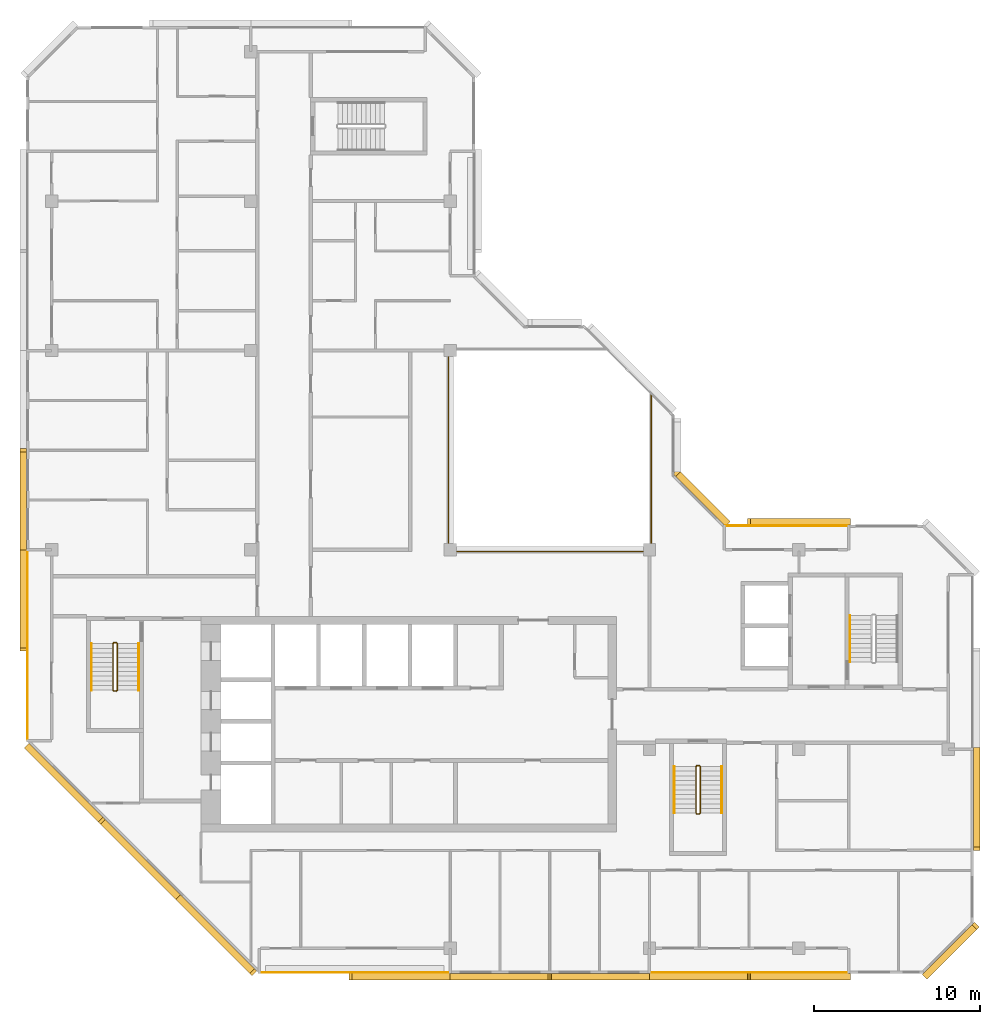
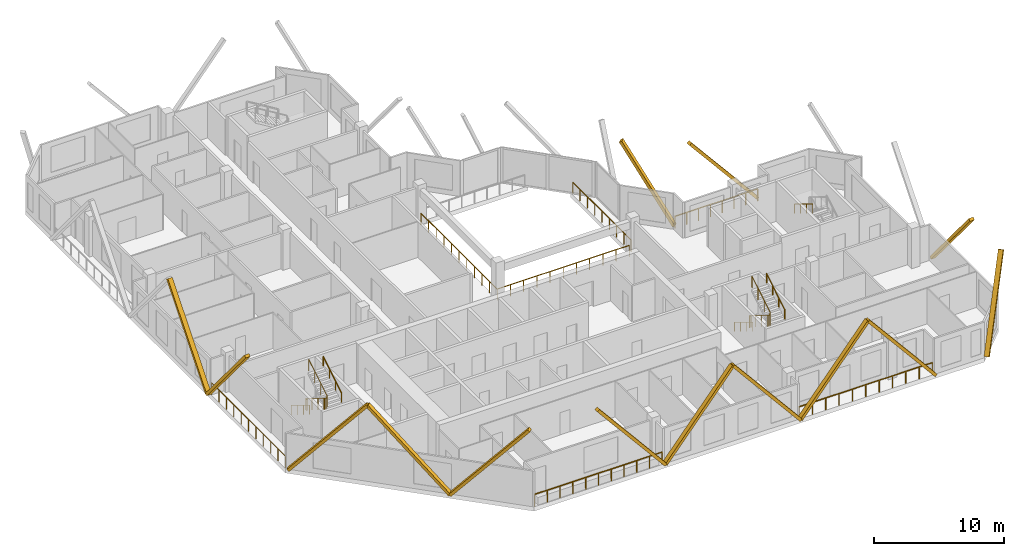
# One storey, part 11 of 12: 14 coverings, 13 railings.
"""IFC4 building model written with IfcOpenShell, lengths in metres."""

from ifc_helpers import new_model, si_unit, direction, frame, origin, origin_2d, place, context, subcontext, project, spatial, rectangle, extrude, material, material_profile, profile_set, type_object, element, save


model = new_model("IFC4")

# Units and contexts
model_context = context("Model", 3, precision=1e-05, world=origin(), true_north=direction((0.0, 1.0)))
body_context = subcontext(model_context, "Body", "Model", "MODEL_VIEW")
ifc_project = project(units=[si_unit("LENGTHUNIT", "METRE"), si_unit("AREAUNIT", "SQUARE_METRE"), si_unit("VOLUMEUNIT", "CUBIC_METRE"), si_unit("PLANEANGLEUNIT", "RADIAN"), si_unit("MASSUNIT", "GRAM", prefix="KILO")], contexts=[model_context])

# Site, building, storey
site_placement = place(None, origin())
site = spatial("IfcSite", under=ifc_project, at=site_placement, CompositionType="ELEMENT")
building_placement = place(site_placement, origin())
building = spatial("IfcBuilding", under=site, at=building_placement, Name="Chenar Terraces", CompositionType="ELEMENT")
storey_placement = place(building_placement, frame((0.0, 0.0, 361.39990234375)))
storey = spatial("IfcBuildingStorey", under=building, at=storey_placement, Name="L84", CompositionType="ELEMENT", Elevation=361.39990234375)

# Railings
ifc_material_1 = material(Name="Powder-coated steel", Category="steel")
railing_type_1 = type_object("IfcRailingType", Name="Guard 1100 steel rail with glass infill", PredefinedType="GUARDRAIL", material=ifc_material_1)
railing_1_placement = place(storey_placement, frame((23.89990234375, 35.625, 0.0)))
element("IfcRailing", 1, at=railing_1_placement, inside=storey, type_object=railing_type_1, Name="Guard L84-1", PredefinedType="GUARDRAIL", context=body_context, shape_type="SweptSolid", body=[
    extrude(rectangle(XDim=0.06005859375, YDim=0.06005859375, at=origin_2d()), frame((0.0, 0.0, 1.070068359375), z_axis=(0.0, -1.0, 0.0), x_axis=(1.0, 0.0, 0.0)), (0.0, 0.0, 1.0), 11.72509765625),
    extrude(rectangle(XDim=0.06005859375, YDim=0.06005859375, at=origin_2d()), frame((0.0, -11.72509765625, 1.070068359375), z_axis=(1.0, 0.0, 0.0), x_axis=(0.0, 1.0, 0.0)), (0.0, 0.0, 1.0), 11.72509765625),
    extrude(rectangle(XDim=0.050048828125, YDim=0.050048828125, at=origin_2d()), origin(), (0.0, 0.0, 1.0), 1.0400390625),
    extrude(rectangle(XDim=0.050048828125, YDim=0.050048828125, at=origin_2d()), frame((0.0, -1.172607421875, 0.0)), (0.0, 0.0, 1.0), 1.0400390625),
    extrude(rectangle(XDim=0.050048828125, YDim=0.050048828125, at=origin_2d()), frame((0.0, -2.344970703125, 0.0)), (0.0, 0.0, 1.0), 1.0400390625),
    extrude(rectangle(XDim=0.050048828125, YDim=0.050048828125, at=origin_2d()), frame((0.0, -3.517578125, 0.0)), (0.0, 0.0, 1.0), 1.0400390625),
    extrude(rectangle(XDim=0.050048828125, YDim=0.050048828125, at=origin_2d()), frame((0.0, -4.68994140625, 0.0)), (0.0, 0.0, 1.0), 1.0400390625),
    extrude(rectangle(XDim=0.050048828125, YDim=0.050048828125, at=origin_2d()), frame((0.0, -5.862548828125, 0.0)), (0.0, 0.0, 1.0), 1.0400390625),
    extrude(rectangle(XDim=0.050048828125, YDim=0.050048828125, at=origin_2d()), frame((0.0, -7.03515625, 0.0)), (0.0, 0.0, 1.0), 1.0400390625),
    extrude(rectangle(XDim=0.050048828125, YDim=0.050048828125, at=origin_2d()), frame((0.0, -8.20751953125, 0.0)), (0.0, 0.0, 1.0), 1.0400390625),
    extrude(rectangle(XDim=0.050048828125, YDim=0.050048828125, at=origin_2d()), frame((0.0, -9.380126953125, 0.0)), (0.0, 0.0, 1.0), 1.0400390625),
    extrude(rectangle(XDim=0.050048828125, YDim=0.050048828125, at=origin_2d()), frame((0.0, -10.552490234375, 0.0)), (0.0, 0.0, 1.0), 1.0400390625),
    extrude(rectangle(XDim=0.050048828125, YDim=0.050048828125, at=origin_2d()), frame((0.0, -11.72509765625, 0.0)), (0.0, 0.0, 1.0), 1.0400390625),
    extrude(rectangle(XDim=0.050048828125, YDim=0.050048828125, at=origin_2d()), frame((1.172607421875, -11.72509765625, 0.0)), (0.0, 0.0, 1.0), 1.0400390625),
    extrude(rectangle(XDim=0.050048828125, YDim=0.050048828125, at=origin_2d()), frame((2.344970703125, -11.72509765625, 0.0)), (0.0, 0.0, 1.0), 1.0400390625),
    extrude(rectangle(XDim=0.050048828125, YDim=0.050048828125, at=origin_2d()), frame((3.517578125, -11.72509765625, 0.0)), (0.0, 0.0, 1.0), 1.0400390625),
    extrude(rectangle(XDim=0.050048828125, YDim=0.050048828125, at=origin_2d()), frame((4.68994140625, -11.72509765625, 0.0)), (0.0, 0.0, 1.0), 1.0400390625),
    extrude(rectangle(XDim=0.050048828125, YDim=0.050048828125, at=origin_2d()), frame((5.862548828125, -11.72509765625, 0.0)), (0.0, 0.0, 1.0), 1.0400390625),
    extrude(rectangle(XDim=0.050048828125, YDim=0.050048828125, at=origin_2d()), frame((7.03515625, -11.72509765625, 0.0)), (0.0, 0.0, 1.0), 1.0400390625),
    extrude(rectangle(XDim=0.050048828125, YDim=0.050048828125, at=origin_2d()), frame((8.20751953125, -11.72509765625, 0.0)), (0.0, 0.0, 1.0), 1.0400390625),
    extrude(rectangle(XDim=0.050048828125, YDim=0.050048828125, at=origin_2d()), frame((9.380126953125, -11.72509765625, 0.0)), (0.0, 0.0, 1.0), 1.0400390625),
    extrude(rectangle(XDim=0.050048828125, YDim=0.050048828125, at=origin_2d()), frame((10.552490234375, -11.72509765625, 0.0)), (0.0, 0.0, 1.0), 1.0400390625),
    extrude(rectangle(XDim=0.050048828125, YDim=0.050048828125, at=origin_2d()), frame((11.72509765625, -11.72509765625, 0.0)), (0.0, 0.0, 1.0), 1.0400390625),
])
railing_2_placement = place(storey_placement, frame((36.10009765625, 24.425048828125, 0.0)))
element("IfcRailing", 2, at=railing_2_placement, inside=storey, type_object=railing_type_1, Name="Guard L84-3", PredefinedType="GUARDRAIL", context=body_context, shape_type="SweptSolid", body=[
    extrude(rectangle(XDim=0.06005859375, YDim=0.06005859375, at=origin_2d()), frame((0.0, 0.0, 1.070068359375), z_axis=(0.0, 1.0, 0.0), x_axis=(-1.0, 0.0, 0.0)), (0.0, 0.0, 1.0), 8.974853515625),
    extrude(rectangle(XDim=0.050048828125, YDim=0.050048828125, at=origin_2d()), origin(), (0.0, 0.0, 1.0), 1.0400390625),
    extrude(rectangle(XDim=0.050048828125, YDim=0.050048828125, at=origin_2d()), frame((0.0, 1.121826171875, 0.0)), (0.0, 0.0, 1.0), 1.0400390625),
    extrude(rectangle(XDim=0.050048828125, YDim=0.050048828125, at=origin_2d()), frame((0.0, 2.24365234375, 0.0)), (0.0, 0.0, 1.0), 1.0400390625),
    extrude(rectangle(XDim=0.050048828125, YDim=0.050048828125, at=origin_2d()), frame((0.0, 3.365478515625, 0.0)), (0.0, 0.0, 1.0), 1.0400390625),
    extrude(rectangle(XDim=0.050048828125, YDim=0.050048828125, at=origin_2d()), frame((0.0, 4.4873046875, 0.0)), (0.0, 0.0, 1.0), 1.0400390625),
    extrude(rectangle(XDim=0.050048828125, YDim=0.050048828125, at=origin_2d()), frame((0.0, 5.609375, 0.0)), (0.0, 0.0, 1.0), 1.0400390625),
    extrude(rectangle(XDim=0.050048828125, YDim=0.050048828125, at=origin_2d()), frame((0.0, 6.731201171875, 0.0)), (0.0, 0.0, 1.0), 1.0400390625),
    extrude(rectangle(XDim=0.050048828125, YDim=0.050048828125, at=origin_2d()), frame((0.0, 7.85302734375, 0.0)), (0.0, 0.0, 1.0), 1.0400390625),
    extrude(rectangle(XDim=0.050048828125, YDim=0.050048828125, at=origin_2d()), frame((0.0, 8.974853515625, 0.0)), (0.0, 0.0, 1.0), 1.0400390625),
])
ifc_material_2 = material(Name="Stainless steel and glass", Category="steel")
railing_type_2 = type_object("IfcRailingType", Name="Loggia guard 1150", PredefinedType="GUARDRAIL", material=ifc_material_2)
railing_3_placement = place(storey_placement, frame((47.925048828125, 25.449951171875, 0.0)))
element("IfcRailing", 3, at=railing_3_placement, inside=storey, type_object=railing_type_2, Name="Loggia guard", PredefinedType="GUARDRAIL", context=body_context, shape_type="SweptSolid", body=[
    extrude(rectangle(XDim=0.048095703125, YDim=0.048095703125, at=origin_2d()), frame((0.0, 0.0, 1.1259765625), z_axis=(-1.0, 0.0, 0.0), x_axis=(0.0, -1.0, 0.0)), (0.0, 0.0, 1.0), 7.35009765625),
    extrude(rectangle(XDim=0.0419921875, YDim=0.0419921875, at=origin_2d()), origin(), (0.0, 0.0, 1.0), 1.101806640625),
    extrude(rectangle(XDim=0.0419921875, YDim=0.0419921875, at=origin_2d()), frame((-1.050048828125, 0.0, 0.0)), (0.0, 0.0, 1.0), 1.101806640625),
    extrude(rectangle(XDim=0.0419921875, YDim=0.0419921875, at=origin_2d()), frame((-2.10009765625, 0.0, 0.0)), (0.0, 0.0, 1.0), 1.101806640625),
    extrude(rectangle(XDim=0.0419921875, YDim=0.0419921875, at=origin_2d()), frame((-3.150146484375, 0.0, 0.0)), (0.0, 0.0, 1.0), 1.101806640625),
    extrude(rectangle(XDim=0.0419921875, YDim=0.0419921875, at=origin_2d()), frame((-4.199951171875, 0.0, 0.0)), (0.0, 0.0, 1.0), 1.101806640625),
    extrude(rectangle(XDim=0.0419921875, YDim=0.0419921875, at=origin_2d()), frame((-5.25, 0.0, 0.0)), (0.0, 0.0, 1.0), 1.101806640625),
    extrude(rectangle(XDim=0.0419921875, YDim=0.0419921875, at=origin_2d()), frame((-6.300048828125, 0.0, 0.0)), (0.0, 0.0, 1.0), 1.101806640625),
    extrude(rectangle(XDim=0.0419921875, YDim=0.0419921875, at=origin_2d()), frame((-7.35009765625, 0.0, 0.0)), (0.0, 0.0, 1.0), 1.101806640625),
])
railing_4_placement = place(storey_placement, frame((12.574951171875, -1.449951171875, 0.0)))
element("IfcRailing", 4, at=railing_4_placement, inside=storey, type_object=railing_type_2, Name="Loggia guard", PredefinedType="GUARDRAIL", context=body_context, shape_type="SweptSolid", body=[
    extrude(rectangle(XDim=0.048095703125, YDim=0.048095703125, at=origin_2d()), frame((0.0, 0.0, 1.1259765625), z_axis=(1.0, 0.0, 0.0), x_axis=(0.0, 1.0, 0.0)), (0.0, 0.0, 1.0), 11.35009765625),
    extrude(rectangle(XDim=0.0419921875, YDim=0.0419921875, at=origin_2d()), origin(), (0.0, 0.0, 1.0), 1.101806640625),
    extrude(rectangle(XDim=0.0419921875, YDim=0.0419921875, at=origin_2d()), frame((1.135009765625, 0.0, 0.0)), (0.0, 0.0, 1.0), 1.101806640625),
    extrude(rectangle(XDim=0.0419921875, YDim=0.0419921875, at=origin_2d()), frame((2.27001953125, 0.0, 0.0)), (0.0, 0.0, 1.0), 1.101806640625),
    extrude(rectangle(XDim=0.0419921875, YDim=0.0419921875, at=origin_2d()), frame((3.405029296875, 0.0, 0.0)), (0.0, 0.0, 1.0), 1.101806640625),
    extrude(rectangle(XDim=0.0419921875, YDim=0.0419921875, at=origin_2d()), frame((4.5400390625, 0.0, 0.0)), (0.0, 0.0, 1.0), 1.101806640625),
    extrude(rectangle(XDim=0.0419921875, YDim=0.0419921875, at=origin_2d()), frame((5.675048828125, 0.0, 0.0)), (0.0, 0.0, 1.0), 1.101806640625),
    extrude(rectangle(XDim=0.0419921875, YDim=0.0419921875, at=origin_2d()), frame((6.81005859375, 0.0, 0.0)), (0.0, 0.0, 1.0), 1.101806640625),
    extrude(rectangle(XDim=0.0419921875, YDim=0.0419921875, at=origin_2d()), frame((7.945068359375, 0.0, 0.0)), (0.0, 0.0, 1.0), 1.101806640625),
    extrude(rectangle(XDim=0.0419921875, YDim=0.0419921875, at=origin_2d()), frame((9.080078125, 0.0, 0.0)), (0.0, 0.0, 1.0), 1.101806640625),
    extrude(rectangle(XDim=0.0419921875, YDim=0.0419921875, at=origin_2d()), frame((10.215087890625, 0.0, 0.0)), (0.0, 0.0, 1.0), 1.101806640625),
    extrude(rectangle(XDim=0.0419921875, YDim=0.0419921875, at=origin_2d()), frame((11.35009765625, 0.0, 0.0)), (0.0, 0.0, 1.0), 1.101806640625),
])
railing_5_placement = place(storey_placement, frame((36.074951171875, -1.449951171875, 0.0)))
element("IfcRailing", 5, at=railing_5_placement, inside=storey, type_object=railing_type_2, Name="Loggia guard", PredefinedType="GUARDRAIL", context=body_context, shape_type="SweptSolid", body=[
    extrude(rectangle(XDim=0.048095703125, YDim=0.048095703125, at=origin_2d()), frame((0.0, 0.0, 1.1259765625), z_axis=(1.0, 0.0, 0.0), x_axis=(0.0, 1.0, 0.0)), (0.0, 0.0, 1.0), 11.85009765625),
    extrude(rectangle(XDim=0.0419921875, YDim=0.0419921875, at=origin_2d()), origin(), (0.0, 0.0, 1.0), 1.101806640625),
    extrude(rectangle(XDim=0.0419921875, YDim=0.0419921875, at=origin_2d()), frame((1.18505859375, 0.0, 0.0)), (0.0, 0.0, 1.0), 1.101806640625),
    extrude(rectangle(XDim=0.0419921875, YDim=0.0419921875, at=origin_2d()), frame((2.3701171875, 0.0, 0.0)), (0.0, 0.0, 1.0), 1.101806640625),
    extrude(rectangle(XDim=0.0419921875, YDim=0.0419921875, at=origin_2d()), frame((3.554931640625, 0.0, 0.0)), (0.0, 0.0, 1.0), 1.101806640625),
    extrude(rectangle(XDim=0.0419921875, YDim=0.0419921875, at=origin_2d()), frame((4.739990234375, 0.0, 0.0)), (0.0, 0.0, 1.0), 1.101806640625),
    extrude(rectangle(XDim=0.0419921875, YDim=0.0419921875, at=origin_2d()), frame((5.925048828125, 0.0, 0.0)), (0.0, 0.0, 1.0), 1.101806640625),
    extrude(rectangle(XDim=0.0419921875, YDim=0.0419921875, at=origin_2d()), frame((7.110107421875, 0.0, 0.0)), (0.0, 0.0, 1.0), 1.101806640625),
    extrude(rectangle(XDim=0.0419921875, YDim=0.0419921875, at=origin_2d()), frame((8.295166015625, 0.0, 0.0)), (0.0, 0.0, 1.0), 1.101806640625),
    extrude(rectangle(XDim=0.0419921875, YDim=0.0419921875, at=origin_2d()), frame((9.47998046875, 0.0, 0.0)), (0.0, 0.0, 1.0), 1.101806640625),
    extrude(rectangle(XDim=0.0419921875, YDim=0.0419921875, at=origin_2d()), frame((10.6650390625, 0.0, 0.0)), (0.0, 0.0, 1.0), 1.101806640625),
    extrude(rectangle(XDim=0.0419921875, YDim=0.0419921875, at=origin_2d()), frame((11.85009765625, 0.0, 0.0)), (0.0, 0.0, 1.0), 1.101806640625),
])
railing_6_placement = place(storey_placement, frame((-1.449951171875, 23.925048828125, 0.0)))
element("IfcRailing", 6, at=railing_6_placement, inside=storey, type_object=railing_type_2, Name="Loggia guard", PredefinedType="GUARDRAIL", context=body_context, shape_type="SweptSolid", body=[
    extrude(rectangle(XDim=0.048095703125, YDim=0.048095703125, at=origin_2d()), frame((0.0, 0.0, 1.1259765625), z_axis=(0.0, -1.0, 0.0), x_axis=(1.0, 0.0, 0.0)), (0.0, 0.0, 1.0), 11.35009765625),
    extrude(rectangle(XDim=0.0419921875, YDim=0.0419921875, at=origin_2d()), origin(), (0.0, 0.0, 1.0), 1.101806640625),
    extrude(rectangle(XDim=0.0419921875, YDim=0.0419921875, at=origin_2d()), frame((0.0, -1.135009765625, 0.0)), (0.0, 0.0, 1.0), 1.101806640625),
    extrude(rectangle(XDim=0.0419921875, YDim=0.0419921875, at=origin_2d()), frame((0.0, -2.27001953125, 0.0)), (0.0, 0.0, 1.0), 1.101806640625),
    extrude(rectangle(XDim=0.0419921875, YDim=0.0419921875, at=origin_2d()), frame((0.0, -3.405029296875, 0.0)), (0.0, 0.0, 1.0), 1.101806640625),
    extrude(rectangle(XDim=0.0419921875, YDim=0.0419921875, at=origin_2d()), frame((0.0, -4.5400390625, 0.0)), (0.0, 0.0, 1.0), 1.101806640625),
    extrude(rectangle(XDim=0.0419921875, YDim=0.0419921875, at=origin_2d()), frame((0.0, -5.675048828125, 0.0)), (0.0, 0.0, 1.0), 1.101806640625),
    extrude(rectangle(XDim=0.0419921875, YDim=0.0419921875, at=origin_2d()), frame((0.0, -6.81005859375, 0.0)), (0.0, 0.0, 1.0), 1.101806640625),
    extrude(rectangle(XDim=0.0419921875, YDim=0.0419921875, at=origin_2d()), frame((0.0, -7.945068359375, 0.0)), (0.0, 0.0, 1.0), 1.101806640625),
    extrude(rectangle(XDim=0.0419921875, YDim=0.0419921875, at=origin_2d()), frame((0.0, -9.080078125, 0.0)), (0.0, 0.0, 1.0), 1.101806640625),
    extrude(rectangle(XDim=0.0419921875, YDim=0.0419921875, at=origin_2d()), frame((0.0, -10.215087890625, 0.0)), (0.0, 0.0, 1.0), 1.101806640625),
    extrude(rectangle(XDim=0.0419921875, YDim=0.0419921875, at=origin_2d()), frame((0.0, -11.35009765625, 0.0)), (0.0, 0.0, 1.0), 1.101806640625),
])
ifc_material_3 = material(Name="Powder-coated steel", Category="steel")
railing_type_3 = type_object("IfcRailingType", Name="Stair guard 1100", PredefinedType="GUARDRAIL", material=ifc_material_3)
railing_7_placement = place(storey_placement, frame((3.949951171875, 18.35009765625, 3.75)))
element("IfcRailing", 7, at=railing_7_placement, inside=storey, type_object=railing_type_3, Name="L84 ST1 stair guard 1", PredefinedType="GUARDRAIL", context=body_context, shape_type="SweptSolid", body=[
    extrude(rectangle(XDim=0.048095703125, YDim=0.048095703125, at=origin_2d()), frame((0.0, 0.0, 1.076171875), z_axis=(0.0, -0.854202870247, -0.519939858505), x_axis=(1.0, 0.0, 0.0)), (0.0, 0.0, 1.0), 3.278076171875),
    extrude(rectangle(XDim=0.048095703125, YDim=0.048095703125, at=origin_2d()), frame((0.0, -2.800048828125, -0.62841796875), z_axis=(-0.270899902878, -0.270899902878, -0.923702595667), x_axis=(0.707106781187, -0.707106781187, 0.0)), (0.0, 0.0, 1.0), 0.184814453125),
    extrude(rectangle(XDim=0.048095703125, YDim=0.048095703125, at=origin_2d()), frame((-0.050048828125, -2.85009765625, -0.798828125), z_axis=(-1.0, 0.0, 0.0), x_axis=(0.0, -1.0, 0.0)), (0.0, 0.0, 1.0), 0.14990234375),
    extrude(rectangle(XDim=0.048095703125, YDim=0.048095703125, at=origin_2d()), frame((-0.199951171875, -2.85009765625, -0.798828125), z_axis=(-0.707106781187, 0.707106781187, 0.0), x_axis=(-0.707106781187, -0.707106781187, 0.0)), (0.0, 0.0, 1.0), 0.07080078125),
    extrude(rectangle(XDim=0.048095703125, YDim=0.048095703125, at=origin_2d()), frame((-0.25, -2.800048828125, -0.798828125), z_axis=(0.0, 0.854202870247, -0.519939858505), x_axis=(-1.0, 0.0, 0.0)), (0.0, 0.0, 1.0), 3.278076171875),
    extrude(rectangle(XDim=0.048095703125, YDim=0.048095703125, at=origin_2d()), frame((-0.25, 0.0, -2.50341796875), z_axis=(0.270996696079, 0.269674760976, -0.924032636873), x_axis=(-0.705375805398, 0.708833529934, 0.0)), (0.0, 0.0, 1.0), 0.1845703125),
    extrude(rectangle(XDim=0.048095703125, YDim=0.048095703125, at=origin_2d()), frame((-0.199951171875, 0.0498046875, -2.673828125), z_axis=(1.0, 0.0, 0.0), x_axis=(0.0, 1.0, 0.0)), (0.0, 0.0, 1.0), 0.14990234375),
    extrude(rectangle(XDim=0.0419921875, YDim=0.0419921875, at=origin_2d()), origin(), (0.0, 0.0, 1.0), 1.052001953125),
    extrude(rectangle(XDim=0.0419921875, YDim=0.0419921875, at=origin_2d()), frame((0.0, -0.933349609375, -0.568115234375)), (0.0, 0.0, 1.0), 1.052001953125),
    extrude(rectangle(XDim=0.0419921875, YDim=0.0419921875, at=origin_2d()), frame((0.0, -1.86669921875, -1.13623046875)), (0.0, 0.0, 1.0), 1.052001953125),
    extrude(rectangle(XDim=0.0419921875, YDim=0.0419921875, at=origin_2d()), frame((0.0, -2.800048828125, -1.704345703125)), (0.0, 0.0, 1.0), 1.052001953125),
    extrude(rectangle(XDim=0.0419921875, YDim=0.0419921875, at=origin_2d()), frame((-0.050048828125, -2.85009765625, -1.875)), (0.0, 0.0, 1.0), 1.052001953125),
    extrude(rectangle(XDim=0.0419921875, YDim=0.0419921875, at=origin_2d()), frame((-0.199951171875, -2.85009765625, -1.875)), (0.0, 0.0, 1.0), 1.052001953125),
    extrude(rectangle(XDim=0.0419921875, YDim=0.0419921875, at=origin_2d()), frame((-0.25, -2.800048828125, -1.875)), (0.0, 0.0, 1.0), 1.052001953125),
    extrude(rectangle(XDim=0.0419921875, YDim=0.0419921875, at=origin_2d()), frame((-0.25, -1.86669921875, -2.443115234375)), (0.0, 0.0, 1.0), 1.052001953125),
    extrude(rectangle(XDim=0.0419921875, YDim=0.0419921875, at=origin_2d()), frame((-0.25, -0.933349609375, -3.01123046875)), (0.0, 0.0, 1.0), 1.052001953125),
    extrude(rectangle(XDim=0.0419921875, YDim=0.0419921875, at=origin_2d()), frame((-0.25, 0.0, -3.579345703125)), (0.0, 0.0, 1.0), 1.052001953125),
    extrude(rectangle(XDim=0.0419921875, YDim=0.0419921875, at=origin_2d()), frame((-0.199951171875, 0.0498046875, -3.75)), (0.0, 0.0, 1.0), 1.052001953125),
    extrude(rectangle(XDim=0.0419921875, YDim=0.0419921875, at=origin_2d()), frame((-0.050048828125, 0.0498046875, -3.75)), (0.0, 0.0, 1.0), 1.052001953125),
])
railing_8_placement = place(storey_placement, frame((39.050048828125, 10.949951171875, 3.75)))
element("IfcRailing", 8, at=railing_8_placement, inside=storey, type_object=railing_type_3, Name="L84 ST2 stair guard 1", PredefinedType="GUARDRAIL", context=body_context, shape_type="SweptSolid", body=[
    extrude(rectangle(XDim=0.048095703125, YDim=0.048095703125, at=origin_2d()), frame((0.0, 0.0, 1.076171875), z_axis=(0.0, -0.854202870247, -0.519939858505), x_axis=(1.0, 0.0, 0.0)), (0.0, 0.0, 1.0), 3.278076171875),
    extrude(rectangle(XDim=0.048095703125, YDim=0.048095703125, at=origin_2d()), frame((0.0, -2.800048828125, -0.62841796875), z_axis=(-0.270996696079, -0.269674760976, -0.924032636873), x_axis=(0.705375805398, -0.708833529934, 0.0)), (0.0, 0.0, 1.0), 0.1845703125),
    extrude(rectangle(XDim=0.048095703125, YDim=0.048095703125, at=origin_2d()), frame((-0.050048828125, -2.849853515625, -0.798828125), z_axis=(-1.0, 0.0, 0.0), x_axis=(0.0, -1.0, 0.0)), (0.0, 0.0, 1.0), 0.14990234375),
    extrude(rectangle(XDim=0.048095703125, YDim=0.048095703125, at=origin_2d()), frame((-0.199951171875, -2.849853515625, -0.798828125), z_axis=(-0.708833529934, 0.705375805398, 0.0), x_axis=(-0.705375805398, -0.708833529934, 0.0)), (0.0, 0.0, 1.0), 0.070556640625),
    extrude(rectangle(XDim=0.048095703125, YDim=0.048095703125, at=origin_2d()), frame((-0.25, -2.800048828125, -0.798828125), z_axis=(0.0, 0.854202870247, -0.519939858505), x_axis=(-1.0, 0.0, 0.0)), (0.0, 0.0, 1.0), 3.278076171875),
    extrude(rectangle(XDim=0.048095703125, YDim=0.048095703125, at=origin_2d()), frame((-0.25, 0.0, -2.50341796875), z_axis=(0.270899902878, 0.270899902878, -0.923702595667), x_axis=(-0.707106781187, 0.707106781187, 0.0)), (0.0, 0.0, 1.0), 0.184814453125),
    extrude(rectangle(XDim=0.048095703125, YDim=0.048095703125, at=origin_2d()), frame((-0.199951171875, 0.050048828125, -2.673828125), z_axis=(1.0, 0.0, 0.0), x_axis=(0.0, 1.0, 0.0)), (0.0, 0.0, 1.0), 0.14990234375),
    extrude(rectangle(XDim=0.0419921875, YDim=0.0419921875, at=origin_2d()), origin(), (0.0, 0.0, 1.0), 1.052001953125),
    extrude(rectangle(XDim=0.0419921875, YDim=0.0419921875, at=origin_2d()), frame((0.0, -0.933349609375, -0.568115234375)), (0.0, 0.0, 1.0), 1.052001953125),
    extrude(rectangle(XDim=0.0419921875, YDim=0.0419921875, at=origin_2d()), frame((0.0, -1.86669921875, -1.13623046875)), (0.0, 0.0, 1.0), 1.052001953125),
    extrude(rectangle(XDim=0.0419921875, YDim=0.0419921875, at=origin_2d()), frame((0.0, -2.800048828125, -1.704345703125)), (0.0, 0.0, 1.0), 1.052001953125),
    extrude(rectangle(XDim=0.0419921875, YDim=0.0419921875, at=origin_2d()), frame((-0.050048828125, -2.849853515625, -1.875)), (0.0, 0.0, 1.0), 1.052001953125),
    extrude(rectangle(XDim=0.0419921875, YDim=0.0419921875, at=origin_2d()), frame((-0.199951171875, -2.849853515625, -1.875)), (0.0, 0.0, 1.0), 1.052001953125),
    extrude(rectangle(XDim=0.0419921875, YDim=0.0419921875, at=origin_2d()), frame((-0.25, -2.800048828125, -1.875)), (0.0, 0.0, 1.0), 1.052001953125),
    extrude(rectangle(XDim=0.0419921875, YDim=0.0419921875, at=origin_2d()), frame((-0.25, -1.86669921875, -2.443115234375)), (0.0, 0.0, 1.0), 1.052001953125),
    extrude(rectangle(XDim=0.0419921875, YDim=0.0419921875, at=origin_2d()), frame((-0.25, -0.933349609375, -3.01123046875)), (0.0, 0.0, 1.0), 1.052001953125),
    extrude(rectangle(XDim=0.0419921875, YDim=0.0419921875, at=origin_2d()), frame((-0.25, 0.0, -3.579345703125)), (0.0, 0.0, 1.0), 1.052001953125),
    extrude(rectangle(XDim=0.0419921875, YDim=0.0419921875, at=origin_2d()), frame((-0.199951171875, 0.050048828125, -3.75)), (0.0, 0.0, 1.0), 1.052001953125),
    extrude(rectangle(XDim=0.0419921875, YDim=0.0419921875, at=origin_2d()), frame((-0.050048828125, 0.050048828125, -3.75)), (0.0, 0.0, 1.0), 1.052001953125),
])
ifc_material_4 = material(Name="Powder-coated steel", Category="steel")
railing_type_4 = type_object("IfcRailingType", Name="Stair handrail 900", PredefinedType="HANDRAIL", material=ifc_material_4)
railing_9_placement = place(storey_placement, frame((2.39990234375, 18.35009765625, 0.170654296875)))
element("IfcRailing", 9, at=railing_9_placement, inside=storey, type_object=railing_type_4, Name="L84 ST1 stair handrail 1", PredefinedType="HANDRAIL", context=body_context, shape_type="SweptSolid", body=[
    extrude(rectangle(XDim=0.048095703125, YDim=0.048095703125, at=origin_2d()), frame((0.0, 0.0, 0.8759765625), z_axis=(0.0, -0.854202870247, 0.519939858505), x_axis=(1.0, 0.0, 0.0)), (0.0, 0.0, 1.0), 3.278076171875),
    extrude(rectangle(XDim=0.0419921875, YDim=0.0419921875, at=origin_2d()), origin(), (0.0, 0.0, 1.0), 0.851806640625),
    extrude(rectangle(XDim=0.0419921875, YDim=0.0419921875, at=origin_2d()), frame((0.0, -0.933349609375, 0.568115234375)), (0.0, 0.0, 1.0), 0.851806640625),
    extrude(rectangle(XDim=0.0419921875, YDim=0.0419921875, at=origin_2d()), frame((0.0, -1.86669921875, 1.13623046875)), (0.0, 0.0, 1.0), 0.851806640625),
    extrude(rectangle(XDim=0.0419921875, YDim=0.0419921875, at=origin_2d()), frame((0.0, -2.800048828125, 1.704345703125)), (0.0, 0.0, 1.0), 0.851806640625),
])
railing_10_placement = place(storey_placement, frame((5.25, 15.550048828125, 2.045654296875)))
element("IfcRailing", 10, at=railing_10_placement, inside=storey, type_object=railing_type_4, Name="L84 ST1 stair handrail 2", PredefinedType="HANDRAIL", context=body_context, shape_type="SweptSolid", body=[
    extrude(rectangle(XDim=0.048095703125, YDim=0.048095703125, at=origin_2d()), frame((0.0, 0.0, 0.8759765625), z_axis=(0.0, 0.854202870247, 0.519939858505), x_axis=(-1.0, 0.0, 0.0)), (0.0, 0.0, 1.0), 3.278076171875),
    extrude(rectangle(XDim=0.0419921875, YDim=0.0419921875, at=origin_2d()), origin(), (0.0, 0.0, 1.0), 0.851806640625),
    extrude(rectangle(XDim=0.0419921875, YDim=0.0419921875, at=origin_2d()), frame((0.0, 0.933349609375, 0.568115234375)), (0.0, 0.0, 1.0), 0.851806640625),
    extrude(rectangle(XDim=0.0419921875, YDim=0.0419921875, at=origin_2d()), frame((0.0, 1.86669921875, 1.13623046875)), (0.0, 0.0, 1.0), 0.851806640625),
    extrude(rectangle(XDim=0.0419921875, YDim=0.0419921875, at=origin_2d()), frame((0.0, 2.800048828125, 1.704345703125)), (0.0, 0.0, 1.0), 0.851806640625),
])
railing_11_placement = place(storey_placement, frame((37.5, 10.949951171875, 0.170654296875)))
element("IfcRailing", 11, at=railing_11_placement, inside=storey, type_object=railing_type_4, Name="L84 ST2 stair handrail 1", PredefinedType="HANDRAIL", context=body_context, shape_type="SweptSolid", body=[
    extrude(rectangle(XDim=0.048095703125, YDim=0.048095703125, at=origin_2d()), frame((0.0, 0.0, 0.8759765625), z_axis=(0.0, -0.854202870247, 0.519939858505), x_axis=(1.0, 0.0, 0.0)), (0.0, 0.0, 1.0), 3.278076171875),
    extrude(rectangle(XDim=0.0419921875, YDim=0.0419921875, at=origin_2d()), origin(), (0.0, 0.0, 1.0), 0.851806640625),
    extrude(rectangle(XDim=0.0419921875, YDim=0.0419921875, at=origin_2d()), frame((0.0, -0.933349609375, 0.568115234375)), (0.0, 0.0, 1.0), 0.851806640625),
    extrude(rectangle(XDim=0.0419921875, YDim=0.0419921875, at=origin_2d()), frame((0.0, -1.86669921875, 1.13623046875)), (0.0, 0.0, 1.0), 0.851806640625),
    extrude(rectangle(XDim=0.0419921875, YDim=0.0419921875, at=origin_2d()), frame((0.0, -2.800048828125, 1.704345703125)), (0.0, 0.0, 1.0), 0.851806640625),
])
railing_12_placement = place(storey_placement, frame((40.35009765625, 8.14990234375, 2.045654296875)))
element("IfcRailing", 12, at=railing_12_placement, inside=storey, type_object=railing_type_4, Name="L84 ST2 stair handrail 2", PredefinedType="HANDRAIL", context=body_context, shape_type="SweptSolid", body=[
    extrude(rectangle(XDim=0.048095703125, YDim=0.048095703125, at=origin_2d()), frame((0.0, 0.0, 0.8759765625), z_axis=(0.0, 0.854202870247, 0.519939858505), x_axis=(-1.0, 0.0, 0.0)), (0.0, 0.0, 1.0), 3.278076171875),
    extrude(rectangle(XDim=0.0419921875, YDim=0.0419921875, at=origin_2d()), origin(), (0.0, 0.0, 1.0), 0.851806640625),
    extrude(rectangle(XDim=0.0419921875, YDim=0.0419921875, at=origin_2d()), frame((0.0, 0.933349609375, 0.568115234375)), (0.0, 0.0, 1.0), 0.851806640625),
    extrude(rectangle(XDim=0.0419921875, YDim=0.0419921875, at=origin_2d()), frame((0.0, 1.86669921875, 1.13623046875)), (0.0, 0.0, 1.0), 0.851806640625),
    extrude(rectangle(XDim=0.0419921875, YDim=0.0419921875, at=origin_2d()), frame((0.0, 2.800048828125, 1.704345703125)), (0.0, 0.0, 1.0), 0.851806640625),
])
railing_13_placement = place(storey_placement, frame((48.074951171875, 20.050048828125, 2.045654296875)))
element("IfcRailing", 13, at=railing_13_placement, inside=storey, type_object=railing_type_4, Name="L84 ST3 stair handrail 2", PredefinedType="HANDRAIL", context=body_context, shape_type="SweptSolid", body=[
    extrude(rectangle(XDim=0.048095703125, YDim=0.048095703125, at=origin_2d()), frame((0.0, 0.0, 0.8759765625), z_axis=(0.0, -0.854202870247, 0.519939858505), x_axis=(1.0, 0.0, 0.0)), (0.0, 0.0, 1.0), 3.278076171875),
    extrude(rectangle(XDim=0.0419921875, YDim=0.0419921875, at=origin_2d()), origin(), (0.0, 0.0, 1.0), 0.851806640625),
    extrude(rectangle(XDim=0.0419921875, YDim=0.0419921875, at=origin_2d()), frame((0.0, -0.933349609375, 0.568115234375)), (0.0, 0.0, 1.0), 0.851806640625),
    extrude(rectangle(XDim=0.0419921875, YDim=0.0419921875, at=origin_2d()), frame((0.0, -1.86669921875, 1.13623046875)), (0.0, 0.0, 1.0), 0.851806640625),
    extrude(rectangle(XDim=0.0419921875, YDim=0.0419921875, at=origin_2d()), frame((0.0, -2.800048828125, 1.704345703125)), (0.0, 0.0, 1.0), 0.851806640625),
])

# Coverings
ifc_material_5 = material(Name="Terracotta", Category="masonry")
ifc_material_profile = material_profile(ifc_material_5, rectangle(XDim=0.39990234375, YDim=0.25, at=origin_2d()), Name="Terracotta baguette 400 x 250")
ifc_profile_set = profile_set([ifc_material_profile], Name="Terracotta")
covering_type = type_object("IfcCoveringType", Name="Terracotta baguette 400 x 250", PredefinedType="CLADDING", material=ifc_profile_set)
covering_1_placement = place(storey_placement, frame((48.0, 25.699951171875, 0.150146484375), z_axis=(-0.640186961885, 0.0, 0.768219144407), x_axis=(0.0, -1.0, 0.0)))
element("IfcCovering", 14, at=covering_1_placement, inside=storey, type_object=covering_type, Name="Terracotta baguette", PredefinedType="CLADDING", context=body_context, shape_type="SweptSolid", body=[
    extrude(rectangle(XDim=0.39990234375, YDim=0.25, at=origin_2d()), origin(), (0.0, 0.0, 1.0), 9.372314453125),
])
covering_2_placement = place(storey_placement, frame((40.641357421875, 25.641357421875, 0.150146484375), z_axis=(-0.358980886355, 0.358980886355, 0.861548284464), x_axis=(-0.707106781187, -0.707106781187, 0.0)))
element("IfcCovering", 15, at=covering_2_placement, inside=storey, type_object=covering_type, Name="Terracotta baguette", PredefinedType="CLADDING", context=body_context, shape_type="SweptSolid", body=[
    extrude(rectangle(XDim=0.39990234375, YDim=0.25, at=origin_2d()), origin(), (0.0, 0.0, 1.0), 8.35693359375),
])
for number, where, z_axis, x_axis, name in (
    (16, (-1.699951171875, 30.0, 7.35009765625), (0.0, -0.640186961885, -0.768219144407), (1.0, 0.0, 0.0), "Terracotta baguette"),
    (17, (-1.699951171875, 24.0, 0.150146484375), (0.0, -0.640186961885, 0.768219144407), (1.0, 0.0, 0.0), "Terracotta baguette"),
):
    element("IfcCovering", number, at=place(storey_placement, frame(where, z_axis=z_axis, x_axis=x_axis)), inside=storey, type_object=covering_type, Name=name, PredefinedType="CLADDING", context=body_context, shape_type="SweptSolid", body=[
        extrude(rectangle(XDim=0.39990234375, YDim=0.25, at=origin_2d()), origin(), (0.0, 0.0, 1.0), 9.372314453125),
    ])
covering_3_placement = place(storey_placement, frame((-1.42919921875, 12.146484375, 0.150146484375), z_axis=(0.465604048687, -0.46562956823, 0.752596821038), x_axis=(0.707126158488, 0.707087403354, 0.0)))
element("IfcCovering", 18, at=covering_3_placement, inside=storey, type_object=covering_type, Name="Terracotta baguette", PredefinedType="CLADDING", context=body_context, shape_type="SweptSolid", body=[
    extrude(rectangle(XDim=0.39990234375, YDim=0.25, at=origin_2d()), origin(), (0.0, 0.0, 1.0), 9.56689453125),
])
covering_4_placement = place(storey_placement, frame((3.025146484375, 7.69189453125, 7.35009765625), z_axis=(0.477802509271, -0.477802509271, -0.73716315987), x_axis=(0.707106781187, 0.707106781187, 0.0)))
element("IfcCovering", 19, at=covering_4_placement, inside=storey, type_object=covering_type, Name="Terracotta baguette", PredefinedType="CLADDING", context=body_context, shape_type="SweptSolid", body=[
    extrude(rectangle(XDim=0.39990234375, YDim=0.25, at=origin_2d()), origin(), (0.0, 0.0, 1.0), 9.76708984375),
])
covering_5_placement = place(storey_placement, frame((7.69189453125, 3.025146484375, 0.150146484375), z_axis=(0.46562956823, -0.465604048687, 0.752596821038), x_axis=(0.707087403354, 0.707126158488, 0.0)))
element("IfcCovering", 20, at=covering_5_placement, inside=storey, type_object=covering_type, Name="Terracotta baguette", PredefinedType="CLADDING", context=body_context, shape_type="SweptSolid", body=[
    extrude(rectangle(XDim=0.39990234375, YDim=0.25, at=origin_2d()), origin(), (0.0, 0.0, 1.0), 9.56689453125),
])
for number, where, z_axis, x_axis, name in (
    (21, (18.0, -1.699951171875, 7.35009765625), (0.640186961885, 0.0, -0.768219144407), (0.0, 1.0, 0.0), "Terracotta baguette"),
    (22, (24.0, -1.699951171875, 0.150146484375), (0.640186961885, 0.0, 0.768219144407), (0.0, 1.0, 0.0), "Terracotta baguette"),
    (23, (30.0, -1.699951171875, 7.35009765625), (0.640186961885, 0.0, -0.768219144407), (0.0, 1.0, 0.0), "Terracotta baguette"),
    (24, (36.0, -1.699951171875, 0.150146484375), (0.640186961885, 0.0, 0.768219144407), (0.0, 1.0, 0.0), "Terracotta baguette"),
    (25, (42.0, -1.699951171875, 7.35009765625), (0.640186961885, 0.0, -0.768219144407), (0.0, 1.0, 0.0), "Terracotta baguette"),
):
    element("IfcCovering", number, at=place(storey_placement, frame(where, z_axis=z_axis, x_axis=x_axis)), inside=storey, type_object=covering_type, Name=name, PredefinedType="CLADDING", context=body_context, shape_type="SweptSolid", body=[
        extrude(rectangle(XDim=0.39990234375, YDim=0.25, at=origin_2d()), origin(), (0.0, 0.0, 1.0), 9.372314453125),
    ])
covering_6_placement = place(storey_placement, frame((52.641357421875, -1.641357421875, 0.150146484375), z_axis=(0.358980886355, 0.358980886355, 0.861548284464), x_axis=(-0.707106781187, 0.707106781187, 0.0)))
element("IfcCovering", 26, at=covering_6_placement, inside=storey, type_object=covering_type, Name="Terracotta baguette", PredefinedType="CLADDING", context=body_context, shape_type="SweptSolid", body=[
    extrude(rectangle(XDim=0.39990234375, YDim=0.25, at=origin_2d()), origin(), (0.0, 0.0, 1.0), 8.35693359375),
])
covering_7_placement = place(storey_placement, frame((55.699951171875, 6.0, 7.35009765625), z_axis=(0.0, 0.640186961885, -0.768219144407), x_axis=(-1.0, 0.0, 0.0)))
element("IfcCovering", 27, at=covering_7_placement, inside=storey, type_object=covering_type, Name="Terracotta baguette", PredefinedType="CLADDING", context=body_context, shape_type="SweptSolid", body=[
    extrude(rectangle(XDim=0.39990234375, YDim=0.25, at=origin_2d()), origin(), (0.0, 0.0, 1.0), 9.372314453125),
])

save(model, "model.ifc")
